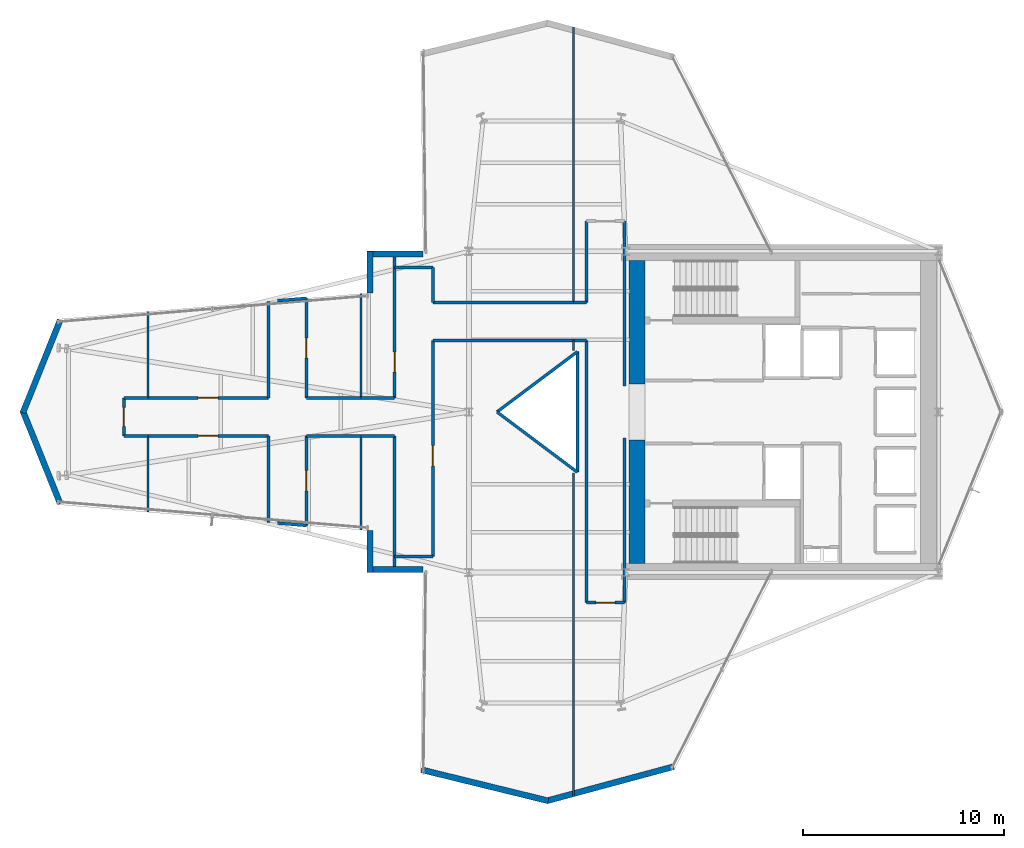
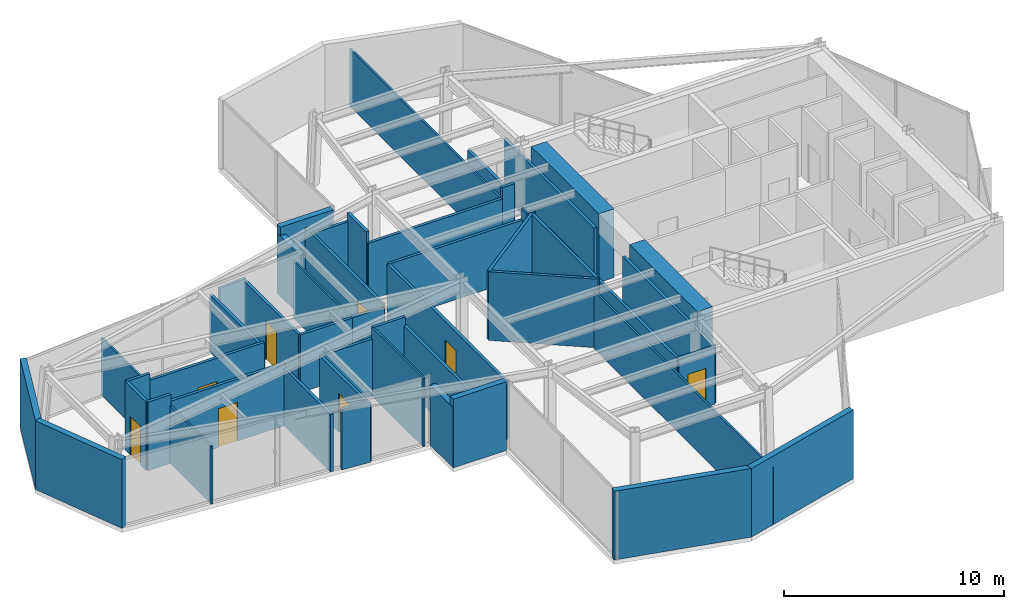
# One storey, part 22 of 25: 50 walls, 8 doors, 8 openings.
"""IFC4 building model written with IfcOpenShell, lengths in metres."""

from ifc_helpers import new_model, si_unit, direction, frame, frame_2d, origin, place, context, subcontext, project, spatial, rectangle, extrude, material, layer, layer_set, type_object, element, fill, save


model = new_model("IFC4")

# Units and contexts
model_context = context("Model", 3, precision=1e-05, world=origin(), true_north=direction((0.0, 1.0)))
body_context = subcontext(model_context, "Body", "Model", "MODEL_VIEW")
ifc_project = project(units=[si_unit("LENGTHUNIT", "METRE"), si_unit("AREAUNIT", "SQUARE_METRE"), si_unit("VOLUMEUNIT", "CUBIC_METRE"), si_unit("PLANEANGLEUNIT", "RADIAN"), si_unit("MASSUNIT", "GRAM", prefix="KILO")], contexts=[model_context])

# Site, building, storey
site_placement = place(None, origin())
site = spatial("IfcSite", under=ifc_project, at=site_placement, CompositionType="ELEMENT")
building_placement = place(site_placement, origin())
building = spatial("IfcBuilding", under=site, at=building_placement, Name="Veymaron Broadcast Tower", CompositionType="ELEMENT")
storey_placement = place(building_placement, frame((0.0, 0.0, 137.10009765625)))
storey = spatial("IfcBuildingStorey", under=building, at=storey_placement, Name="L31", CompositionType="ELEMENT", Elevation=137.10009765625)

# Walls
ifc_material_1 = material(Name="Precast concrete C40/50 with mineral-wool insulation", Category="concrete")
ifc_layer_1 = layer(ifc_material_1, 0.300048828125)
ifc_layer_set_1 = layer_set([ifc_layer_1], Name="Precast concrete C40/50 with mineral-wool insulation")
wall_type_1 = type_object("IfcWallType", Name="WALL-EXT-300", PredefinedType="STANDARD", material=ifc_layer_set_1)
wall_1_placement = place(storey_placement, frame((28.910400390625, 31.860107421875, 0.0), z_axis=(0.0, 0.0, 1.0), x_axis=(-1.0, 0.0, 0.0)))
element("IfcWall", 1, at=wall_1_placement, inside=storey, type_object=wall_type_1, Name="L31 notched corner facade pier 9-1", PredefinedType="STANDARD", context=body_context, shape_type="SweptSolid", body=[
    extrude(rectangle(XDim=2.790283203125, YDim=0.300048828125, at=frame_2d((1.39501953125, 0.0))), origin(), (0.0, 0.0, 1.0), 3.809814453125),
])
wall_2_placement = place(storey_placement, frame((26.260009765625, 32.0, 0.0), z_axis=(0.0, 0.0, 1.0), x_axis=(0.0, -1.0, 0.0)))
element("IfcWall", 2, at=wall_2_placement, inside=storey, type_object=wall_type_1, Name="L31 notched corner facade pier 10-1", PredefinedType="STANDARD", context=body_context, shape_type="SweptSolid", body=[
    extrude(rectangle(XDim=2.085693359375, YDim=0.300048828125, at=frame_2d((1.04296875, 0.0))), origin(), (0.0, 0.0, 1.0), 3.337890625),
])
for number, where, z_axis, x_axis, name in (
    (3, (10.829833984375, 28.56982421875, 0.0), (0.0, 0.0, 1.0), (-0.373299289804, -0.927710968045, 0.0), "L31 notched corner facade pier 12-1"),
    (4, (8.969970703125, 24.05224609375, 0.0), (0.0, 0.0, 1.0), (0.373299289804, -0.927710968045, 0.0), "L31 notched corner facade pier 13-1"),
):
    element("IfcWall", number, at=place(storey_placement, frame(where, z_axis=z_axis, x_axis=x_axis)), inside=storey, type_object=wall_type_1, Name=name, PredefinedType="STANDARD", context=body_context, shape_type="SweptSolid", body=[
        extrude(rectangle(XDim=4.982177734375, YDim=0.300048828125, at=frame_2d((2.4912109375, 0.0))), origin(), (0.0, 0.0, 1.0), 3.809814453125),
    ])
wall_3_placement = place(storey_placement, frame((26.260009765625, 18.085693359375, 0.0), z_axis=(0.0, 0.0, 1.0), x_axis=(0.0, -1.0, 0.0)))
element("IfcWall", 5, at=wall_3_placement, inside=storey, type_object=wall_type_1, Name="L31 notched corner facade pier 15-1", PredefinedType="STANDARD", context=body_context, shape_type="SweptSolid", body=[
    extrude(rectangle(XDim=2.085693359375, YDim=0.300048828125, at=frame_2d((1.04296875, 0.0))), origin(), (0.0, 0.0, 1.0), 3.337890625),
])
wall_4_placement = place(storey_placement, frame((26.1201171875, 16.139892578125, 0.0), z_axis=(0.0, 0.0, 1.0), x_axis=(1.0, 0.0, 0.0)))
element("IfcWall", 6, at=wall_4_placement, inside=storey, type_object=wall_type_1, Name="L31 notched corner facade pier 16-1", PredefinedType="STANDARD", context=body_context, shape_type="SweptSolid", body=[
    extrude(rectangle(XDim=2.790283203125, YDim=0.300048828125, at=frame_2d((1.39501953125, 0.0))), origin(), (0.0, 0.0, 1.0), 3.809814453125),
])
wall_5_placement = place(storey_placement, frame((28.8232421875, 6.1708984375, 0.0), z_axis=(0.0, 0.0, 1.0), x_axis=(0.971267606245, -0.23798999361, 0.0)))
element("IfcWall", 7, at=wall_5_placement, inside=storey, type_object=wall_type_1, Name="L31 notched corner facade pier 18-1", PredefinedType="STANDARD", context=body_context, shape_type="SweptSolid", body=[
    extrude(rectangle(XDim=6.511962890625, YDim=0.300048828125, at=frame_2d((3.255859375, 0.0))), origin(), (0.0, 0.0, 1.0), 3.809814453125),
])
wall_6_placement = place(storey_placement, frame((35.07861328125, 4.6201171875, 0.0), z_axis=(0.0, 0.0, 1.0), x_axis=(0.965531145086, 0.260287548434, 0.0)))
element("IfcWall", 8, at=wall_6_placement, inside=storey, type_object=wall_type_1, Name="L31 notched corner facade pier 19-1", PredefinedType="STANDARD", context=body_context, shape_type="SweptSolid", body=[
    extrude(rectangle(XDim=6.55078125, YDim=0.300048828125, at=frame_2d((3.275390625, 0.0))), origin(), (0.0, 0.0, 1.0), 3.809814453125),
])

# Wall, opening, door
ifc_material_2 = material(Name="Gypsum fireboard and steel stud framing", Category="steel")
ifc_layer_2 = layer(ifc_material_2, 0.14990234375)
ifc_layer_set_2 = layer_set([ifc_layer_2], Name="Gypsum fireboard and steel stud framing")
wall_type_2 = type_object("IfcWallType", Name="WALL-FIRE-150", PredefinedType="PARTITIONING", material=ifc_layer_set_2)
wall_7_placement = place(storey_placement, frame((37.050048828125, 14.5, 0.0), z_axis=(0.0, 0.0, 1.0), x_axis=(1.0, 0.0, 0.0)))
wall_7 = element("IfcWall", 9, at=wall_7_placement, inside=storey, type_object=wall_type_2, Name="L31 partition IW-L31-P03", PredefinedType="PARTITIONING", context=body_context, shape_type="SweptSolid", body=[
    extrude(rectangle(XDim=1.89990234375, YDim=0.14990234375, at=frame_2d((0.949951171875, 0.0))), origin(), (0.0, 0.0, 1.0), 3.18994140625),
])
opening_1_placement = place(wall_7_placement, frame((0.47509765625, 0.0, 0.0)))
opening_1 = element("IfcOpeningElement", 10, at=opening_1_placement, cuts=wall_7, Name="Opening ID-RM1", PredefinedType="OPENING", context=body_context, shape_type="SweptSolid", body=[
    extrude(rectangle(XDim=0.949951171875, YDim=2.14990234375, at=frame_2d((0.47509765625, 1.074951171875))), frame((0.0, 0.0849609375, 0.0), z_axis=(0.0, -1.0, 0.0), x_axis=(1.0, 0.0, 0.0)), (0.0, 0.0, 1.0), 0.169921875),
])
ifc_material_3 = material(Name="Acoustic solid-core European oak veneer timber", Category="wood")
door_type_1 = type_object("IfcDoorType", Name="DOOR-INT-950", OperationType="NOTDEFINED", PredefinedType="DOOR", material=ifc_material_3)
door_1_placement = place(opening_1_placement, frame((0.949951171875, 0.0, 0.0), z_axis=(0.0, 0.0, 1.0), x_axis=(-1.0, 0.0, 0.0)))
door_1 = element("IfcDoor", 11, at=door_1_placement, inside=storey, type_object=door_type_1, Name="L31 door DR-L31-P03", OperationType="SINGLE_SWING_RIGHT", OverallHeight=2.14990234375, OverallWidth=0.949951171875, PredefinedType="DOOR", context=body_context, shape_type="SweptSolid", body=[
    extrude(rectangle(XDim=0.949951171875, YDim=2.14990234375, at=frame_2d((0.47509765625, 1.074951171875))), frame((0.0, 0.02490234375, 0.0), z_axis=(0.0, -1.0, 0.0), x_axis=(1.0, 0.0, 0.0)), (0.0, 0.0, 1.0), 0.050048828125),
])
fill(opening_1, door_1)

wall_8_placement = place(storey_placement, frame((29.39990234375, 16.800048828125, 0.0), z_axis=(0.0, 0.0, 1.0), x_axis=(0.0, 1.0, 0.0)))
wall_8 = element("IfcWall", 12, at=wall_8_placement, inside=storey, type_object=wall_type_2, Name="L31 partition IW-L31-P05", PredefinedType="PARTITIONING", context=body_context, shape_type="SweptSolid", body=[
    extrude(rectangle(XDim=10.75, YDim=0.14990234375, at=frame_2d((5.375, 0.0))), origin(), (0.0, 0.0, 1.0), 3.18994140625),
])
opening_2_placement = place(wall_8_placement, frame((4.514892578125, 0.0, 0.0)))
opening_2 = element("IfcOpeningElement", 13, at=opening_2_placement, cuts=wall_8, Name="Opening ID-RM3", PredefinedType="OPENING", context=body_context, shape_type="SweptSolid", body=[
    extrude(rectangle(XDim=1.0, YDim=2.14990234375, at=frame_2d((0.5, 1.074951171875))), frame((0.0, 0.0849609375, 0.0), z_axis=(0.0, -1.0, 0.0), x_axis=(1.0, 0.0, 0.0)), (0.0, 0.0, 1.0), 0.169921875),
])
door_type_2 = type_object("IfcDoorType", Name="DOOR-INT-1000", OperationType="NOTDEFINED", PredefinedType="DOOR", material=ifc_material_3)
door_2_placement = place(opening_2_placement, frame((1.0, 0.0, 0.0), z_axis=(0.0, 0.0, 1.0), x_axis=(-1.0, 0.0, 0.0)))
door_2 = element("IfcDoor", 14, at=door_2_placement, inside=storey, type_object=door_type_2, Name="L31 door DR-L31-P05", OperationType="SINGLE_SWING_RIGHT", OverallHeight=2.14990234375, OverallWidth=1.0, PredefinedType="DOOR", context=body_context, shape_type="SweptSolid", body=[
    extrude(rectangle(XDim=1.0, YDim=2.14990234375, at=frame_2d((0.5, 1.074951171875))), frame((0.0, 0.02490234375, 0.0), z_axis=(0.0, -1.0, 0.0), x_axis=(1.0, 0.0, 0.0)), (0.0, 0.0, 1.0), 0.050048828125),
])
fill(opening_2, door_2)

wall_9_placement = place(storey_placement, frame((23.10009765625, 18.3388671875, 0.0), z_axis=(0.0, 0.0, 1.0), x_axis=(0.0, 1.0, 0.0)))
wall_9 = element("IfcWall", 15, at=wall_9_placement, inside=storey, type_object=wall_type_2, Name="L31 partition IW-L31-P10", PredefinedType="PARTITIONING", context=body_context, shape_type="SweptSolid", body=[
    extrude(rectangle(XDim=4.461181640625, YDim=0.14990234375, at=frame_2d((2.23046875, 0.0))), origin(), (0.0, 0.0, 1.0), 3.18994140625),
])
opening_3_placement = place(wall_9_placement, frame((1.730712890625, 0.0, 0.0)))
opening_3 = element("IfcOpeningElement", 16, at=opening_3_placement, cuts=wall_9, Name="Opening ID-RM3", PredefinedType="OPENING", context=body_context, shape_type="SweptSolid", body=[
    extrude(rectangle(XDim=1.0, YDim=2.14990234375, at=frame_2d((0.5, 1.074951171875))), frame((0.0, 0.0849609375, 0.0), z_axis=(0.0, -1.0, 0.0), x_axis=(1.0, 0.0, 0.0)), (0.0, 0.0, 1.0), 0.169921875),
])
door_3_placement = place(opening_3_placement, frame((1.0, 0.0, 0.0), z_axis=(0.0, 0.0, 1.0), x_axis=(-1.0, 0.0, 0.0)))
door_3 = element("IfcDoor", 17, at=door_3_placement, inside=storey, type_object=door_type_2, Name="L31 door DR-L31-P10", OperationType="SINGLE_SWING_LEFT", OverallHeight=2.14990234375, OverallWidth=1.0, PredefinedType="DOOR", context=body_context, shape_type="SweptSolid", body=[
    extrude(rectangle(XDim=1.0, YDim=2.14990234375, at=frame_2d((0.5, 1.074951171875))), frame((0.0, 0.02490234375, 0.0), z_axis=(0.0, -1.0, 0.0), x_axis=(1.0, 0.0, 0.0)), (0.0, 0.0, 1.0), 0.050048828125),
])
fill(opening_3, door_3)

wall_10_placement = place(storey_placement, frame((15.2041015625, 22.800048828125, 0.0), z_axis=(0.0, 0.0, 1.0), x_axis=(1.0, 0.0, 0.0)))
wall_10 = element("IfcWall", 18, at=wall_10_placement, inside=storey, type_object=wall_type_2, Name="L31 partition IW-L31-P13", PredefinedType="PARTITIONING", context=body_context, shape_type="SweptSolid", body=[
    extrude(rectangle(XDim=5.995849609375, YDim=0.14990234375, at=frame_2d((2.998046875, 0.0))), origin(), (0.0, 0.0, 1.0), 3.44287109375),
])
opening_4_placement = place(wall_10_placement, frame((2.498046875, 0.0, 0.0)))
opening_4 = element("IfcOpeningElement", 19, at=opening_4_placement, cuts=wall_10, Name="Opening ID-RM3", PredefinedType="OPENING", context=body_context, shape_type="SweptSolid", body=[
    extrude(rectangle(XDim=1.0, YDim=2.14990234375, at=frame_2d((0.5, 1.074951171875))), frame((0.0, 0.0849609375, 0.0), z_axis=(0.0, -1.0, 0.0), x_axis=(1.0, 0.0, 0.0)), (0.0, 0.0, 1.0), 0.169921875),
])
door_4_placement = place(opening_4_placement, frame((1.0, 0.0, 0.0), z_axis=(0.0, 0.0, 1.0), x_axis=(-1.0, 0.0, 0.0)))
door_4 = element("IfcDoor", 20, at=door_4_placement, inside=storey, type_object=door_type_2, Name="L31 door DR-L31-P13", OperationType="SINGLE_SWING_RIGHT", OverallHeight=2.14990234375, OverallWidth=1.0, PredefinedType="DOOR", context=body_context, shape_type="SweptSolid", body=[
    extrude(rectangle(XDim=1.0, YDim=2.14990234375, at=frame_2d((0.5, 1.074951171875))), frame((0.0, 0.02490234375, 0.0), z_axis=(0.0, -1.0, 0.0), x_axis=(1.0, 0.0, 0.0)), (0.0, 0.0, 1.0), 0.050048828125),
])
fill(opening_4, door_4)

wall_11_placement = place(storey_placement, frame((14.0, 22.800048828125, 0.0), z_axis=(0.0, 0.0, 1.0), x_axis=(0.0, 1.0, 0.0)))
wall_11 = element("IfcWall", 21, at=wall_11_placement, inside=storey, type_object=wall_type_2, Name="L31 partition IW-L31-P15", PredefinedType="PARTITIONING", context=body_context, shape_type="SweptSolid", body=[
    extrude(rectangle(XDim=1.89990234375, YDim=0.14990234375, at=frame_2d((0.949951171875, 0.0))), origin(), (0.0, 0.0, 1.0), 3.809814453125),
])
opening_5_placement = place(wall_11_placement, frame((0.47509765625, 0.0, 0.0)))
opening_5 = element("IfcOpeningElement", 22, at=opening_5_placement, cuts=wall_11, Name="Opening ID-RM1", PredefinedType="OPENING", context=body_context, shape_type="SweptSolid", body=[
    extrude(rectangle(XDim=0.949951171875, YDim=2.14990234375, at=frame_2d((0.47509765625, 1.074951171875))), frame((0.0, 0.0849609375, 0.0), z_axis=(0.0, -1.0, 0.0), x_axis=(1.0, 0.0, 0.0)), (0.0, 0.0, 1.0), 0.169921875),
])
door_5_placement = place(opening_5_placement, origin())
door_5 = element("IfcDoor", 23, at=door_5_placement, inside=storey, type_object=door_type_1, Name="L31 door DR-L31-P15", OperationType="SINGLE_SWING_RIGHT", OverallHeight=2.14990234375, OverallWidth=0.949951171875, PredefinedType="DOOR", context=body_context, shape_type="SweptSolid", body=[
    extrude(rectangle(XDim=0.949951171875, YDim=2.14990234375, at=frame_2d((0.47509765625, 1.074951171875))), frame((0.0, 0.02490234375, 0.0), z_axis=(0.0, -1.0, 0.0), x_axis=(1.0, 0.0, 0.0)), (0.0, 0.0, 1.0), 0.050048828125),
])
fill(opening_5, door_5)

wall_12_placement = place(storey_placement, frame((15.2041015625, 24.699951171875, 0.0), z_axis=(0.0, 0.0, 1.0), x_axis=(1.0, 0.0, 0.0)))
wall_12 = element("IfcWall", 24, at=wall_12_placement, inside=storey, type_object=wall_type_2, Name="L31 partition IW-L31-P18", PredefinedType="PARTITIONING", context=body_context, shape_type="SweptSolid", body=[
    extrude(rectangle(XDim=5.995849609375, YDim=0.14990234375, at=frame_2d((2.998046875, 0.0))), origin(), (0.0, 0.0, 1.0), 3.44287109375),
])
opening_6_placement = place(wall_12_placement, frame((2.498046875, 0.0, 0.0)))
opening_6 = element("IfcOpeningElement", 25, at=opening_6_placement, cuts=wall_12, Name="Opening ID-RM3", PredefinedType="OPENING", context=body_context, shape_type="SweptSolid", body=[
    extrude(rectangle(XDim=1.0, YDim=2.14990234375, at=frame_2d((0.5, 1.074951171875))), frame((0.0, 0.0849609375, 0.0), z_axis=(0.0, -1.0, 0.0), x_axis=(1.0, 0.0, 0.0)), (0.0, 0.0, 1.0), 0.169921875),
])
door_6_placement = place(opening_6_placement, origin())
door_6 = element("IfcDoor", 26, at=door_6_placement, inside=storey, type_object=door_type_2, Name="L31 door DR-L31-P18", OperationType="SINGLE_SWING_LEFT", OverallHeight=2.14990234375, OverallWidth=1.0, PredefinedType="DOOR", context=body_context, shape_type="SweptSolid", body=[
    extrude(rectangle(XDim=1.0, YDim=2.14990234375, at=frame_2d((0.5, 1.074951171875))), frame((0.0, 0.02490234375, 0.0), z_axis=(0.0, -1.0, 0.0), x_axis=(1.0, 0.0, 0.0)), (0.0, 0.0, 1.0), 0.050048828125),
])
fill(opening_6, door_6)

wall_13_placement = place(storey_placement, frame((23.10009765625, 24.699951171875, 0.0), z_axis=(0.0, 0.0, 1.0), x_axis=(0.0, 1.0, 0.0)))
wall_13 = element("IfcWall", 27, at=wall_13_placement, inside=storey, type_object=wall_type_2, Name="L31 partition IW-L31-P20", PredefinedType="PARTITIONING", context=body_context, shape_type="SweptSolid", body=[
    extrude(rectangle(XDim=4.961181640625, YDim=0.14990234375, at=frame_2d((2.48046875, 0.0))), origin(), (0.0, 0.0, 1.0), 3.18994140625),
])
opening_7_placement = place(wall_13_placement, frame((1.980712890625, 0.0, 0.0)))
opening_7 = element("IfcOpeningElement", 28, at=opening_7_placement, cuts=wall_13, Name="Opening ID-RM3", PredefinedType="OPENING", context=body_context, shape_type="SweptSolid", body=[
    extrude(rectangle(XDim=1.0, YDim=2.14990234375, at=frame_2d((0.5, 1.074951171875))), frame((0.0, 0.0849609375, 0.0), z_axis=(0.0, -1.0, 0.0), x_axis=(1.0, 0.0, 0.0)), (0.0, 0.0, 1.0), 0.169921875),
])
door_7_placement = place(opening_7_placement, frame((1.0, 0.0, 0.0), z_axis=(0.0, 0.0, 1.0), x_axis=(-1.0, 0.0, 0.0)))
door_7 = element("IfcDoor", 29, at=door_7_placement, inside=storey, type_object=door_type_2, Name="L31 door DR-L31-P20", OperationType="SINGLE_SWING_LEFT", OverallHeight=2.14990234375, OverallWidth=1.0, PredefinedType="DOOR", context=body_context, shape_type="SweptSolid", body=[
    extrude(rectangle(XDim=1.0, YDim=2.14990234375, at=frame_2d((0.5, 1.074951171875))), frame((0.0, 0.02490234375, 0.0), z_axis=(0.0, -1.0, 0.0), x_axis=(1.0, 0.0, 0.0)), (0.0, 0.0, 1.0), 0.050048828125),
])
fill(opening_7, door_7)

wall_14_placement = place(storey_placement, frame((27.5, 24.699951171875, 0.0), z_axis=(0.0, 0.0, 1.0), x_axis=(0.0, 1.0, 0.0)))
wall_14 = element("IfcWall", 30, at=wall_14_placement, inside=storey, type_object=wall_type_2, Name="L31 partition IW-L31-P23", PredefinedType="PARTITIONING", context=body_context, shape_type="SweptSolid", body=[
    extrude(rectangle(XDim=7.16015625, YDim=0.14990234375, at=frame_2d((3.580078125, 0.0))), origin(), (0.0, 0.0, 1.0), 3.337890625),
])
opening_8_placement = place(wall_14_placement, frame((1.280029296875, 0.0, 0.0)))
opening_8 = element("IfcOpeningElement", 31, at=opening_8_placement, cuts=wall_14, Name="Opening ID-RM3", PredefinedType="OPENING", context=body_context, shape_type="SweptSolid", body=[
    extrude(rectangle(XDim=1.0, YDim=2.14990234375, at=frame_2d((0.5, 1.074951171875))), frame((0.0, 0.0849609375, 0.0), z_axis=(0.0, -1.0, 0.0), x_axis=(1.0, 0.0, 0.0)), (0.0, 0.0, 1.0), 0.169921875),
])
door_8_placement = place(opening_8_placement, origin())
door_8 = element("IfcDoor", 32, at=door_8_placement, inside=storey, type_object=door_type_2, Name="L31 door DR-L31-P23", OperationType="SINGLE_SWING_RIGHT", OverallHeight=2.14990234375, OverallWidth=1.0, PredefinedType="DOOR", context=body_context, shape_type="SweptSolid", body=[
    extrude(rectangle(XDim=1.0, YDim=2.14990234375, at=frame_2d((0.5, 1.074951171875))), frame((0.0, 0.02490234375, 0.0), z_axis=(0.0, -1.0, 0.0), x_axis=(1.0, 0.0, 0.0)), (0.0, 0.0, 1.0), 0.050048828125),
])
fill(opening_8, door_8)

# Walls
wall_15_placement = place(storey_placement, frame((37.050048828125, 14.5, 0.0), z_axis=(0.0, 0.0, 1.0), x_axis=(0.0, 1.0, 0.0)))
element("IfcWall", 33, at=wall_15_placement, inside=storey, type_object=wall_type_2, Name="L31 partition IW-L31-P01", PredefinedType="PARTITIONING", context=body_context, shape_type="SweptSolid", body=[
    extrude(rectangle(XDim=13.050048828125, YDim=0.14990234375, at=frame_2d((6.52490234375, 0.0))), origin(), (0.0, 0.0, 1.0), 3.18994140625),
])
wall_16_placement = place(storey_placement, frame((38.949951171875, 14.5, 0.0), z_axis=(0.0, 0.0, 1.0), x_axis=(0.0, 1.0, 0.0)))
element("IfcWall", 34, at=wall_16_placement, inside=storey, type_object=wall_type_2, Name="L31 partition IW-L31-P02", PredefinedType="PARTITIONING", context=body_context, shape_type="SweptSolid", body=[
    extrude(rectangle(XDim=8.199951171875, YDim=0.14990234375, at=frame_2d((4.10009765625, 0.0))), origin(), (0.0, 0.0, 1.0), 3.18994140625),
])
wall_17_placement = place(storey_placement, frame((36.416015625, 27.550048828125, 0.0), z_axis=(0.0, 0.0, 1.0), x_axis=(1.0, 0.0, 0.0)))
element("IfcWall", 35, at=wall_17_placement, inside=storey, type_object=wall_type_2, Name="L31 partition IW-L31-P04", PredefinedType="PARTITIONING", context=body_context, shape_type="SweptSolid", body=[
    extrude(rectangle(XDim=0.634033203125, YDim=0.14990234375, at=frame_2d((0.31689453125, 0.0))), origin(), (0.0, 0.0, 1.0), 3.44287109375),
])
wall_18_placement = place(storey_placement, frame((29.39990234375, 27.550048828125, 0.0), z_axis=(0.0, 0.0, 1.0), x_axis=(1.0, 0.0, 0.0)))
element("IfcWall", 36, at=wall_18_placement, inside=storey, type_object=wall_type_2, Name="L31 partition IW-L31-P06", PredefinedType="PARTITIONING", context=body_context, shape_type="SweptSolid", body=[
    extrude(rectangle(XDim=7.01611328125, YDim=0.14990234375, at=frame_2d((3.508056640625, 0.0))), origin(), (0.0, 0.0, 1.0), 3.18994140625),
])
wall_19_placement = place(storey_placement, frame((27.5, 16.139892578125, 0.0), z_axis=(0.0, 0.0, 1.0), x_axis=(0.0, 1.0, 0.0)))
element("IfcWall", 37, at=wall_19_placement, inside=storey, type_object=wall_type_2, Name="L31 partition IW-L31-P07", PredefinedType="PARTITIONING", context=body_context, shape_type="SweptSolid", body=[
    extrude(rectangle(XDim=6.66015625, YDim=0.14990234375, at=frame_2d((3.330078125, 0.0))), origin(), (0.0, 0.0, 1.0), 3.337890625),
])
wall_20_placement = place(storey_placement, frame((27.5, 16.800048828125, 0.0), z_axis=(0.0, 0.0, 1.0), x_axis=(1.0, 0.0, 0.0)))
element("IfcWall", 38, at=wall_20_placement, inside=storey, type_object=wall_type_2, Name="L31 partition IW-L31-P08", PredefinedType="PARTITIONING", context=body_context, shape_type="SweptSolid", body=[
    extrude(rectangle(XDim=1.89990234375, YDim=0.14990234375, at=frame_2d((0.949951171875, 0.0))), origin(), (0.0, 0.0, 1.0), 3.337890625),
])
wall_21_placement = place(storey_placement, frame((25.81005859375, 22.800048828125, 0.0), z_axis=(0.0, 0.0, 1.0), x_axis=(1.0, 0.0, 0.0)))
element("IfcWall", 39, at=wall_21_placement, inside=storey, type_object=wall_type_2, Name="L31 partition IW-L31-P09", PredefinedType="PARTITIONING", context=body_context, shape_type="SweptSolid", body=[
    extrude(rectangle(XDim=1.68994140625, YDim=0.14990234375, at=frame_2d((0.844970703125, 0.0))), origin(), (0.0, 0.0, 1.0), 3.809814453125),
])
wall_22_placement = place(storey_placement, frame((23.10009765625, 22.800048828125, 0.0), z_axis=(0.0, 0.0, 1.0), x_axis=(1.0, 0.0, 0.0)))
element("IfcWall", 40, at=wall_22_placement, inside=storey, type_object=wall_type_2, Name="L31 partition IW-L31-P11", PredefinedType="PARTITIONING", context=body_context, shape_type="SweptSolid", body=[
    extrude(rectangle(XDim=2.7099609375, YDim=0.14990234375, at=frame_2d((1.35498046875, 0.0))), origin(), (0.0, 0.0, 1.0), 3.18994140625),
])
wall_23_placement = place(storey_placement, frame((21.65966796875, 18.459716796875, 0.0), z_axis=(0.0, 0.0, 1.0), x_axis=(0.996499008811, -0.083604577858, 0.0)))
element("IfcWall", 41, at=wall_23_placement, inside=storey, type_object=wall_type_2, Name="L31 partition IW-L31-P12", PredefinedType="PARTITIONING", context=body_context, shape_type="SweptSolid", body=[
    extrude(rectangle(XDim=1.445556640625, YDim=0.14990234375, at=frame_2d((0.72265625, 0.0))), origin(), (0.0, 0.0, 1.0), 3.337890625),
])
wall_24_placement = place(storey_placement, frame((21.199951171875, 18.498046875, 0.0), z_axis=(0.0, 0.0, 1.0), x_axis=(0.0, 1.0, 0.0)))
element("IfcWall", 42, at=wall_24_placement, inside=storey, type_object=wall_type_2, Name="L31 partition IW-L31-P14", PredefinedType="PARTITIONING", context=body_context, shape_type="SweptSolid", body=[
    extrude(rectangle(XDim=4.302001953125, YDim=0.14990234375, at=frame_2d((2.15087890625, 0.0))), origin(), (0.0, 0.0, 1.0), 3.18994140625),
])
for number, where, z_axis, x_axis, name in (
    (43, (14.0, 22.800048828125, 0.0), (0.0, 0.0, 1.0), (1.0, 0.0, 0.0), "L31 partition IW-L31-P16"),
    (44, (14.0, 24.699951171875, 0.0), (0.0, 0.0, 1.0), (1.0, 0.0, 0.0), "L31 partition IW-L31-P17"),
):
    element("IfcWall", number, at=place(storey_placement, frame(where, z_axis=z_axis, x_axis=x_axis)), inside=storey, type_object=wall_type_2, Name=name, PredefinedType="PARTITIONING", context=body_context, shape_type="SweptSolid", body=[
        extrude(rectangle(XDim=1.2041015625, YDim=0.14990234375, at=frame_2d((0.60205078125, 0.0))), origin(), (0.0, 0.0, 1.0), 3.809814453125),
    ])
wall_25_placement = place(storey_placement, frame((21.199951171875, 24.699951171875, 0.0), z_axis=(0.0, 0.0, 1.0), x_axis=(0.0, 1.0, 0.0)))
element("IfcWall", 45, at=wall_25_placement, inside=storey, type_object=wall_type_2, Name="L31 partition IW-L31-P19", PredefinedType="PARTITIONING", context=body_context, shape_type="SweptSolid", body=[
    extrude(rectangle(XDim=4.802001953125, YDim=0.14990234375, at=frame_2d((2.40087890625, 0.0))), origin(), (0.0, 0.0, 1.0), 3.18994140625),
])
wall_26_placement = place(storey_placement, frame((23.10009765625, 24.699951171875, 0.0), z_axis=(0.0, 0.0, 1.0), x_axis=(1.0, 0.0, 0.0)))
element("IfcWall", 46, at=wall_26_placement, inside=storey, type_object=wall_type_2, Name="L31 partition IW-L31-P21", PredefinedType="PARTITIONING", context=body_context, shape_type="SweptSolid", body=[
    extrude(rectangle(XDim=2.7099609375, YDim=0.14990234375, at=frame_2d((1.35498046875, 0.0))), origin(), (0.0, 0.0, 1.0), 3.18994140625),
])
wall_27_placement = place(storey_placement, frame((21.65966796875, 29.540283203125, 0.0), z_axis=(0.0, 0.0, 1.0), x_axis=(0.996499008811, 0.083604577858, 0.0)))
element("IfcWall", 47, at=wall_27_placement, inside=storey, type_object=wall_type_2, Name="L31 partition IW-L31-P22", PredefinedType="PARTITIONING", context=body_context, shape_type="SweptSolid", body=[
    extrude(rectangle(XDim=1.445556640625, YDim=0.14990234375, at=frame_2d((0.72265625, 0.0))), origin(), (0.0, 0.0, 1.0), 3.337890625),
])
wall_28_placement = place(storey_placement, frame((29.39990234375, 29.449951171875, 0.0), z_axis=(0.0, 0.0, 1.0), x_axis=(1.0, 0.0, 0.0)))
element("IfcWall", 48, at=wall_28_placement, inside=storey, type_object=wall_type_2, Name="L31 partition IW-L31-P24", PredefinedType="PARTITIONING", context=body_context, shape_type="SweptSolid", body=[
    extrude(rectangle(XDim=7.01611328125, YDim=0.14990234375, at=frame_2d((3.508056640625, 0.0))), origin(), (0.0, 0.0, 1.0), 3.18994140625),
])
wall_29_placement = place(storey_placement, frame((27.5, 31.199951171875, 0.0), z_axis=(0.0, 0.0, 1.0), x_axis=(1.0, 0.0, 0.0)))
element("IfcWall", 49, at=wall_29_placement, inside=storey, type_object=wall_type_2, Name="L31 partition IW-L31-P25", PredefinedType="PARTITIONING", context=body_context, shape_type="SweptSolid", body=[
    extrude(rectangle(XDim=1.89990234375, YDim=0.14990234375, at=frame_2d((0.949951171875, 0.0))), origin(), (0.0, 0.0, 1.0), 3.337890625),
])
wall_30_placement = place(storey_placement, frame((29.39990234375, 29.449951171875, 0.0), z_axis=(0.0, 0.0, 1.0), x_axis=(0.0, 1.0, 0.0)))
element("IfcWall", 50, at=wall_30_placement, inside=storey, type_object=wall_type_2, Name="L31 partition IW-L31-P26", PredefinedType="PARTITIONING", context=body_context, shape_type="SweptSolid", body=[
    extrude(rectangle(XDim=1.75, YDim=0.14990234375, at=frame_2d((0.875, 0.0))), origin(), (0.0, 0.0, 1.0), 3.809814453125),
])
wall_31_placement = place(storey_placement, frame((25.81005859375, 24.699951171875, 0.0), z_axis=(0.0, 0.0, 1.0), x_axis=(1.0, 0.0, 0.0)))
element("IfcWall", 51, at=wall_31_placement, inside=storey, type_object=wall_type_2, Name="L31 partition IW-L31-P27", PredefinedType="PARTITIONING", context=body_context, shape_type="SweptSolid", body=[
    extrude(rectangle(XDim=1.68994140625, YDim=0.14990234375, at=frame_2d((0.844970703125, 0.0))), origin(), (0.0, 0.0, 1.0), 3.18994140625),
])
wall_32_placement = place(storey_placement, frame((38.949951171875, 25.300048828125, 0.0), z_axis=(0.0, 0.0, 1.0), x_axis=(0.0, 1.0, 0.0)))
element("IfcWall", 52, at=wall_32_placement, inside=storey, type_object=wall_type_2, Name="L31 partition IW-L31-P28", PredefinedType="PARTITIONING", context=body_context, shape_type="SweptSolid", body=[
    extrude(rectangle(XDim=8.199951171875, YDim=0.14990234375, at=frame_2d((4.10009765625, 0.0))), origin(), (0.0, 0.0, 1.0), 3.18994140625),
])
wall_33_placement = place(storey_placement, frame((37.050048828125, 29.449951171875, 0.0), z_axis=(0.0, 0.0, 1.0), x_axis=(0.0, 1.0, 0.0)))
element("IfcWall", 53, at=wall_33_placement, inside=storey, type_object=wall_type_2, Name="L31 partition IW-L31-P29", PredefinedType="PARTITIONING", context=body_context, shape_type="SweptSolid", body=[
    extrude(rectangle(XDim=4.050048828125, YDim=0.14990234375, at=frame_2d((2.02490234375, 0.0))), origin(), (0.0, 0.0, 1.0), 3.18994140625),
])
wall_34_placement = place(storey_placement, frame((36.416015625, 29.449951171875, 0.0), z_axis=(0.0, 0.0, 1.0), x_axis=(1.0, 0.0, 0.0)))
element("IfcWall", 54, at=wall_34_placement, inside=storey, type_object=wall_type_2, Name="L31 partition IW-L31-P31", PredefinedType="PARTITIONING", context=body_context, shape_type="SweptSolid", body=[
    extrude(rectangle(XDim=0.634033203125, YDim=0.14990234375, at=frame_2d((0.31689453125, 0.0))), origin(), (0.0, 0.0, 1.0), 3.809814453125),
])
ifc_material_4 = material(Name="Fire-rated laminated glass in aluminium frame", Category="aluminium")
ifc_layer_3 = layer(ifc_material_4, 0.14990234375)
ifc_layer_set_3 = layer_set([ifc_layer_3], Name="Fire-rated laminated glass in aluminium frame")
wall_type_3 = type_object("IfcWallType", Name="WALL-GLZ-150", PredefinedType="MOVABLE", material=ifc_layer_set_3)
wall_35_placement = place(storey_placement, frame((32.60009765625, 24.0, 0.0), z_axis=(0.0, 0.0, 1.0), x_axis=(0.8, -0.6, 0.0)))
element("IfcWall", 55, at=wall_35_placement, inside=storey, type_object=wall_type_3, Name="L31 partition IW-L31-ATR1", PredefinedType="MOVABLE", context=body_context, shape_type="SweptSolid", body=[
    extrude(rectangle(XDim=5.0, YDim=0.14990234375, at=frame_2d((2.5, 0.0))), origin(), (0.0, 0.0, 1.0), 3.809814453125),
])
wall_36_placement = place(storey_placement, frame((36.60009765625, 21.0, 0.0), z_axis=(0.0, 0.0, 1.0), x_axis=(0.0, 1.0, 0.0)))
element("IfcWall", 56, at=wall_36_placement, inside=storey, type_object=wall_type_3, Name="L31 partition IW-L31-ATR2", PredefinedType="MOVABLE", context=body_context, shape_type="SweptSolid", body=[
    extrude(rectangle(XDim=6.0, YDim=0.14990234375, at=frame_2d((3.0, 0.0))), origin(), (0.0, 0.0, 1.0), 3.809814453125),
])
wall_37_placement = place(storey_placement, frame((36.60009765625, 27.0, 0.0), z_axis=(0.0, 0.0, 1.0), x_axis=(-0.8, -0.6, 0.0)))
element("IfcWall", 57, at=wall_37_placement, inside=storey, type_object=wall_type_3, Name="L31 partition IW-L31-ATR3", PredefinedType="MOVABLE", context=body_context, shape_type="SweptSolid", body=[
    extrude(rectangle(XDim=5.0, YDim=0.14990234375, at=frame_2d((2.5, 0.0))), origin(), (0.0, 0.0, 1.0), 3.809814453125),
])
ifc_material_5 = material(Name="Acoustic gypsum board and galvanized stud", Category="gypsum")
ifc_layer_4 = layer(ifc_material_5, 0.10009765625)
ifc_layer_set_4 = layer_set([ifc_layer_4], Name="Acoustic gypsum board and galvanized stud")
wall_type_4 = type_object("IfcWallType", Name="WALL-PART-100", PredefinedType="PARTITIONING", material=ifc_layer_set_4)
wall_38_placement = place(storey_placement, frame((36.416015625, 4.835693359375, 0.0), z_axis=(0.0, 0.0, 1.0), x_axis=(0.0, 1.0, 0.0)))
element("IfcWall", 58, at=wall_38_placement, inside=storey, type_object=wall_type_4, Name="L31 partition IW-L31-P32", PredefinedType="PARTITIONING", context=body_context, shape_type="SweptSolid", body=[
    extrude(rectangle(XDim=16.11474609375, YDim=0.10009765625, at=frame_2d((8.057373046875, 0.0))), origin(), (0.0, 0.0, 1.0), 3.18994140625),
])
wall_39_placement = place(storey_placement, frame((36.416015625, 27.049560546875, 0.0), z_axis=(0.0, 0.0, 1.0), x_axis=(0.0, 1.0, 0.0)))
element("IfcWall", 59, at=wall_39_placement, inside=storey, type_object=wall_type_4, Name="L31 partition IW-L31-P33", PredefinedType="PARTITIONING", context=body_context, shape_type="SweptSolid", body=[
    extrude(rectangle(XDim=0.50048828125, YDim=0.10009765625, at=frame_2d((0.250244140625, 0.0))), origin(), (0.0, 0.0, 1.0), 3.809814453125),
])
wall_40_placement = place(storey_placement, frame((25.81005859375, 18.11181640625, 0.0), z_axis=(0.0, 0.0, 1.0), x_axis=(0.0, 1.0, 0.0)))
element("IfcWall", 60, at=wall_40_placement, inside=storey, type_object=wall_type_4, Name="L31 partition IW-L31-P34", PredefinedType="PARTITIONING", context=body_context, shape_type="SweptSolid", body=[
    extrude(rectangle(XDim=4.688232421875, YDim=0.10009765625, at=frame_2d((2.34423828125, 0.0))), origin(), (0.0, 0.0, 1.0), 3.809814453125),
])
wall_41_placement = place(storey_placement, frame((15.2041015625, 19.00048828125, 0.0), z_axis=(0.0, 0.0, 1.0), x_axis=(0.0, 1.0, 0.0)))
element("IfcWall", 61, at=wall_41_placement, inside=storey, type_object=wall_type_4, Name="L31 partition IW-L31-P35", PredefinedType="PARTITIONING", context=body_context, shape_type="SweptSolid", body=[
    extrude(rectangle(XDim=3.799560546875, YDim=0.10009765625, at=frame_2d((1.89990234375, 0.0))), origin(), (0.0, 0.0, 1.0), 3.18994140625),
])
wall_42_placement = place(storey_placement, frame((15.2041015625, 24.699951171875, 0.0), z_axis=(0.0, 0.0, 1.0), x_axis=(0.0, 1.0, 0.0)))
element("IfcWall", 62, at=wall_42_placement, inside=storey, type_object=wall_type_4, Name="L31 partition IW-L31-P36", PredefinedType="PARTITIONING", context=body_context, shape_type="SweptSolid", body=[
    extrude(rectangle(XDim=4.299560546875, YDim=0.10009765625, at=frame_2d((2.14990234375, 0.0))), origin(), (0.0, 0.0, 1.0), 3.18994140625),
])
wall_43_placement = place(storey_placement, frame((25.81005859375, 24.699951171875, 0.0), z_axis=(0.0, 0.0, 1.0), x_axis=(0.0, 1.0, 0.0)))
element("IfcWall", 63, at=wall_43_placement, inside=storey, type_object=wall_type_4, Name="L31 partition IW-L31-P37", PredefinedType="PARTITIONING", context=body_context, shape_type="SweptSolid", body=[
    extrude(rectangle(XDim=5.188232421875, YDim=0.10009765625, at=frame_2d((2.59423828125, 0.0))), origin(), (0.0, 0.0, 1.0), 3.18994140625),
])
wall_44_placement = place(storey_placement, frame((36.416015625, 29.449951171875, 0.0), z_axis=(0.0, 0.0, 1.0), x_axis=(0.0, 1.0, 0.0)))
element("IfcWall", 64, at=wall_44_placement, inside=storey, type_object=wall_type_4, Name="L31 partition IW-L31-P38", PredefinedType="PARTITIONING", context=body_context, shape_type="SweptSolid", body=[
    extrude(rectangle(XDim=13.71435546875, YDim=0.10009765625, at=frame_2d((6.857177734375, 0.0))), origin(), (0.0, 0.0, 1.0), 3.18994140625),
])
ifc_material_6 = material(Name="Concrete C60/75", Category="concrete")
ifc_layer_5 = layer(ifc_material_6, 0.800048828125)
ifc_layer_set_5 = layer_set([ifc_layer_5], Name="Concrete C60/75")
wall_type_5 = type_object("IfcWallType", Name="WALL-SHEAR-800", PredefinedType="SHEAR", material=ifc_layer_set_5)
for number, where, z_axis, x_axis, name in (
    (65, (39.580078125, 16.449951171875, 0.0), (0.0, 0.0, 1.0), (0.0, 1.0, 0.0), "L31 Core Wall west-south shear"),
    (66, (39.580078125, 25.39990234375, 0.0), (0.0, 0.0, 1.0), (0.0, 1.0, 0.0), "L31 Core Wall west-north shear"),
):
    element("IfcWall", number, at=place(storey_placement, frame(where, z_axis=z_axis, x_axis=x_axis)), inside=storey, type_object=wall_type_5, Name=name, PredefinedType="SHEAR", context=body_context, shape_type="SweptSolid", body=[
        extrude(rectangle(XDim=6.150146484375, YDim=0.800048828125, at=frame_2d((3.0751953125, 0.0))), origin(), (0.0, 0.0, 1.0), 3.809814453125),
    ])

save(model, "model.ifc")
